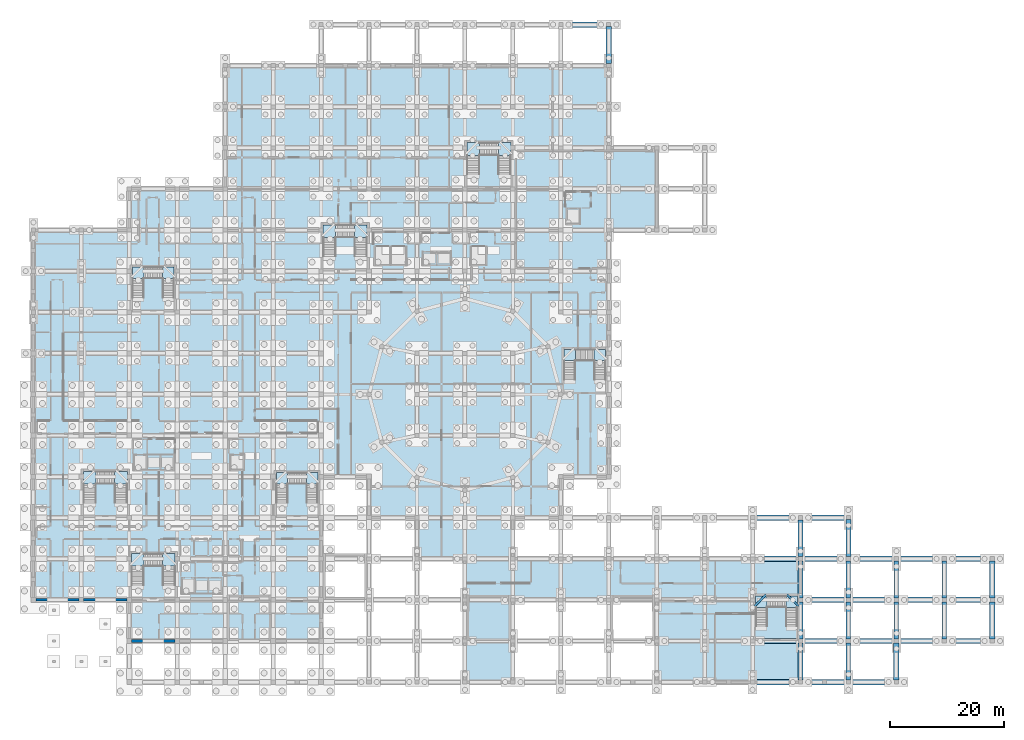
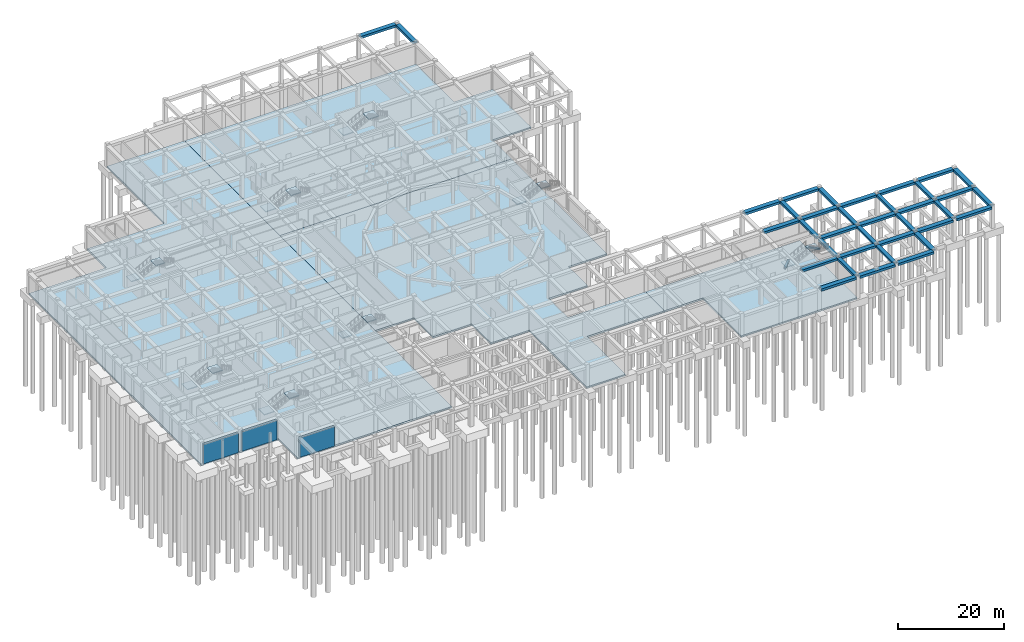
# One storey, part 14 of 32: 38 beams, 20 slabs, 3 walls, 8 elements without a shape of their own.
"""IFC4 building model written with IfcOpenShell, lengths in metres."""

from ifc_helpers import new_model, si_unit, derived_unit, direction, frame, frame_2d, origin, origin_2d, place, context, subcontext, project, spatial, polyline, rectangle, outline, extrude, material, layer, layer_set, material_profile, profile_set, type_object, element, aggregate, save


model = new_model("IFC4")

# Units and contexts
model_context = context("Model", 3, precision=1e-05, world=origin(), true_north=direction((0.0, 1.0)))
body_context = subcontext(model_context, "Body", "Model", "MODEL_VIEW")
ifc_project = project(units=[si_unit("LENGTHUNIT", "METRE"), si_unit("AREAUNIT", "SQUARE_METRE"), si_unit("VOLUMEUNIT", "CUBIC_METRE"), si_unit("PLANEANGLEUNIT", "RADIAN"), si_unit("MASSUNIT", "GRAM", prefix="KILO"), derived_unit("THERMALTRANSMITTANCEUNIT", [(si_unit("POWERUNIT", "WATT"), 1), (si_unit("LENGTHUNIT", "METRE"), -2), (si_unit("THERMODYNAMICTEMPERATUREUNIT", "KELVIN"), -1)])], contexts=[model_context])

# Site, building, storey
site_placement = place(None, origin())
site = spatial("IfcSite", under=ifc_project, at=site_placement, CompositionType="ELEMENT")
building_placement = place(site_placement, origin())
building = spatial("IfcBuilding", under=site, at=building_placement, Name="Veybourne Emporium", CompositionType="ELEMENT")
storey_placement = place(building_placement, frame((0.0, 0.0, -5.39990234375)))
storey = spatial("IfcBuildingStorey", under=building, at=storey_placement, Name="B1", CompositionType="ELEMENT", Elevation=-5.39990234375)

# Beams
ifc_material_1 = material(Name="Concrete C32/40", Category="concrete")
ifc_material_profile_1 = material_profile(ifc_material_1, rectangle(XDim=0.35009765625, YDim=0.35009765625, at=origin_2d()), Name="RC 350x350")
ifc_profile_set_1 = profile_set([ifc_material_profile_1], Name="Concrete C32/40")
beam_type_1 = type_object("IfcBeamType", Name="LandingBeam_LB-01", PredefinedType="BEAM", material=ifc_profile_set_1)
for number, where, z_axis, x_axis, name in (
    (1, (126.35009765625, 13.320068359375, 1.4248046875), (0.707106781187, 0.707106781187, 0.0), (-0.707106781187, 0.707106781187, 0.0), "B1 ST-06 landing 1 support beam"),
    (2, (132.070068359375, 15.300048828125, 3.224853515625), (0.707106781187, -0.707106781187, 0.0), (0.707106781187, 0.707106781187, 0.0), "B1 ST-06 landing 2 support beam"),
):
    element("IfcBeam", number, at=place(storey_placement, frame(where, z_axis=z_axis, x_axis=x_axis)), inside=storey, type_object=beam_type_1, Name=name, PredefinedType="BEAM", context=body_context, shape_type="SweptSolid", body=[
        extrude(rectangle(XDim=0.35009765625, YDim=0.35009765625, at=origin_2d()), origin(), (0.0, 0.0, 1.0), 2.800048828125),
    ])
ifc_material_profile_2 = material_profile(ifc_material_1, rectangle(XDim=0.949951171875, YDim=0.5, at=origin_2d()), Name="RC 950x500")
ifc_profile_set_2 = profile_set([ifc_material_profile_2], Name="Concrete C32/40")
beam_type_2 = type_object("IfcBeamType", Name="RCBeam_BB-01", PredefinedType="BEAM", material=ifc_profile_set_2)
for number, where, z_axis, x_axis, name in (
    (3, (126.39990234375, 7.199951171875, 4.7998046875), (1.0, 0.0, 0.0), (0.0, 1.0, 0.0), "B1 X-grid beam BB-01 (15,1)"),
    (4, (126.39990234375, 21.60009765625, 4.7998046875), (1.0, 0.0, 0.0), (0.0, 1.0, 0.0), "B1 X-grid beam BB-01 (15,3)"),
):
    element("IfcBeam", number, at=place(storey_placement, frame(where, z_axis=z_axis, x_axis=x_axis)), inside=storey, type_object=beam_type_2, Name=name, PredefinedType="BEAM", context=body_context, shape_type="SweptSolid", body=[
        extrude(rectangle(XDim=0.949951171875, YDim=0.5, at=origin_2d()), origin(), (0.0, 0.0, 1.0), 7.625),
    ])
beam_1_placement = place(storey_placement, frame((134.77490234375, 7.199951171875, 4.7998046875), z_axis=(1.0, 0.0, 0.0), x_axis=(0.0, 1.0, 0.0)))
element("IfcBeam", 5, at=beam_1_placement, inside=storey, type_object=beam_type_2, Name="B1 X-grid beam BB-01 (16,1)", PredefinedType="BEAM", context=body_context, shape_type="SweptSolid", body=[
    extrude(rectangle(XDim=0.949951171875, YDim=0.5, at=origin_2d()), origin(), (0.0, 0.0, 1.0), 7.635009765625),
])
beam_2_placement = place(storey_placement, frame((134.77490234375, 14.39990234375, 4.7998046875), z_axis=(1.0, 0.0, 0.0), x_axis=(0.0, 1.0, 0.0)))
element("IfcBeam", 6, at=beam_2_placement, inside=storey, type_object=beam_type_2, Name="B1 X-grid beam BB-01 (16,2)", PredefinedType="BEAM", context=body_context, shape_type="SweptSolid", body=[
    extrude(rectangle(XDim=0.949951171875, YDim=0.5, at=origin_2d()), origin(), (0.0, 0.0, 1.0), 7.675048828125),
])
beam_3_placement = place(storey_placement, frame((134.77490234375, 21.60009765625, 4.7998046875), z_axis=(1.0, 0.0, 0.0), x_axis=(0.0, 1.0, 0.0)))
element("IfcBeam", 7, at=beam_3_placement, inside=storey, type_object=beam_type_2, Name="B1 X-grid beam BB-01 (16,3)", PredefinedType="BEAM", context=body_context, shape_type="SweptSolid", body=[
    extrude(rectangle(XDim=0.949951171875, YDim=0.5, at=origin_2d()), origin(), (0.0, 0.0, 1.0), 7.635009765625),
])
beam_4_placement = place(storey_placement, frame((143.18994140625, 7.199951171875, 4.7998046875), z_axis=(1.0, 0.0, 0.0), x_axis=(0.0, 1.0, 0.0)))
element("IfcBeam", 8, at=beam_4_placement, inside=storey, type_object=beam_type_2, Name="B1 X-grid beam BB-01 (17,1)", PredefinedType="BEAM", context=body_context, shape_type="SweptSolid", body=[
    extrude(rectangle(XDim=0.949951171875, YDim=0.5, at=origin_2d()), origin(), (0.0, 0.0, 1.0), 7.6201171875),
])
beam_5_placement = place(storey_placement, frame((143.14990234375, 14.39990234375, 4.7998046875), z_axis=(1.0, 0.0, 0.0), x_axis=(0.0, 1.0, 0.0)))
element("IfcBeam", 9, at=beam_5_placement, inside=storey, type_object=beam_type_2, Name="B1 X-grid beam BB-01 (17,2)", PredefinedType="BEAM", context=body_context, shape_type="SweptSolid", body=[
    extrude(rectangle(XDim=0.949951171875, YDim=0.5, at=origin_2d()), origin(), (0.0, 0.0, 1.0), 7.7001953125),
])
for number, where, z_axis, x_axis, name in (
    (10, (151.550048828125, 14.39990234375, 4.7998046875), (1.0, 0.0, 0.0), (0.0, 1.0, 0.0), "B1 X-grid beam BB-01 (18,2)"),
    (11, (159.949951171875, 14.39990234375, 4.7998046875), (1.0, 0.0, 0.0), (0.0, 1.0, 0.0), "B1 X-grid beam BB-01 (19,2)"),
):
    element("IfcBeam", number, at=place(storey_placement, frame(where, z_axis=z_axis, x_axis=x_axis)), inside=storey, type_object=beam_type_2, Name=name, PredefinedType="BEAM", context=body_context, shape_type="SweptSolid", body=[
        extrude(rectangle(XDim=0.949951171875, YDim=0.5, at=origin_2d()), origin(), (0.0, 0.0, 1.0), 7.699951171875),
    ])
ifc_material_profile_3 = material_profile(ifc_material_1, rectangle(XDim=0.800048828125, YDim=0.5, at=origin_2d()), Name="RC 800x500")
ifc_profile_set_3 = profile_set([ifc_material_profile_3], Name="Concrete C32/40")
beam_type_3 = type_object("IfcBeamType", Name="RCBeam_BB-02", PredefinedType="BEAM", material=ifc_profile_set_3)
for number, where, z_axis, x_axis, name in (
    (12, (134.39990234375, 0.375, 4.7998046875), (0.0, 1.0, 0.0), (-1.0, 0.0, 0.0), "B1 Y-grid beam BB-02 (16,0)"),
    (13, (134.39990234375, 7.574951171875, 4.7998046875), (0.0, 1.0, 0.0), (-1.0, 0.0, 0.0), "B1 Y-grid beam BB-02 (16,1)"),
):
    element("IfcBeam", number, at=place(storey_placement, frame(where, z_axis=z_axis, x_axis=x_axis)), inside=storey, type_object=beam_type_3, Name=name, PredefinedType="BEAM", context=body_context, shape_type="SweptSolid", body=[
        extrude(rectangle(XDim=0.800048828125, YDim=0.5, at=origin_2d()), origin(), (0.0, 0.0, 1.0), 6.449951171875),
    ])
beam_6_placement = place(storey_placement, frame((134.39990234375, 14.77490234375, 4.7998046875), z_axis=(0.0, 1.0, 0.0), x_axis=(-1.0, 0.0, 0.0)))
element("IfcBeam", 14, at=beam_6_placement, inside=storey, type_object=beam_type_3, Name="B1 Y-grid beam BB-02 (16,2)", PredefinedType="BEAM", context=body_context, shape_type="SweptSolid", body=[
    extrude(rectangle(XDim=0.800048828125, YDim=0.5, at=origin_2d()), origin(), (0.0, 0.0, 1.0), 6.4501953125),
])
beam_7_placement = place(storey_placement, frame((134.39990234375, 21.97509765625, 4.7998046875), z_axis=(0.0, 1.0, 0.0), x_axis=(-1.0, 0.0, 0.0)))
element("IfcBeam", 15, at=beam_7_placement, inside=storey, type_object=beam_type_3, Name="B1 Y-grid beam BB-02 (16,3)", PredefinedType="BEAM", context=body_context, shape_type="SweptSolid", body=[
    extrude(rectangle(XDim=0.800048828125, YDim=0.5, at=origin_2d()), origin(), (0.0, 0.0, 1.0), 6.449951171875),
])
for number, where, z_axis, x_axis, name in (
    (16, (142.800048828125, 0.35009765625, 4.7998046875), (0.0, 1.0, 0.0), (-1.0, 0.0, 0.0), "B1 Y-grid beam BB-02 (17,0)"),
    (17, (142.800048828125, 7.56005859375, 4.7998046875), (0.0, 1.0, 0.0), (-1.0, 0.0, 0.0), "B1 Y-grid beam BB-02 (17,1)"),
    (18, (142.800048828125, 14.75, 4.7998046875), (0.0, 1.0, 0.0), (-1.0, 0.0, 0.0), "B1 Y-grid beam BB-02 (17,2)"),
    (19, (151.199951171875, 7.56005859375, 4.7998046875), (0.0, 1.0, 0.0), (-1.0, 0.0, 0.0), "B1 Y-grid beam BB-02 (18,1)"),
    (20, (151.199951171875, 14.75, 4.7998046875), (0.0, 1.0, 0.0), (-1.0, 0.0, 0.0), "B1 Y-grid beam BB-02 (18,2)"),
    (21, (159.60009765625, 7.56005859375, 4.7998046875), (0.0, 1.0, 0.0), (-1.0, 0.0, 0.0), "B1 Y-grid beam BB-02 (19,1)"),
    (22, (159.60009765625, 14.75, 4.7998046875), (0.0, 1.0, 0.0), (-1.0, 0.0, 0.0), "B1 Y-grid beam BB-02 (19,2)"),
):
    element("IfcBeam", number, at=place(storey_placement, frame(where, z_axis=z_axis, x_axis=x_axis)), inside=storey, type_object=beam_type_3, Name=name, PredefinedType="BEAM", context=body_context, shape_type="SweptSolid", body=[
        extrude(rectangle(XDim=0.800048828125, YDim=0.5, at=origin_2d()), origin(), (0.0, 0.0, 1.0), 6.489990234375),
    ])
ifc_material_profile_4 = material_profile(ifc_material_1, rectangle(XDim=0.949951171875, YDim=0.550048828125, at=origin_2d()), Name="RC 950x550")
ifc_profile_set_4 = profile_set([ifc_material_profile_4], Name="Concrete C32/40")
beam_type_4 = type_object("IfcBeamType", Name="RCBeam_EB-01", PredefinedType="SPANDREL", material=ifc_profile_set_4)
beam_8_placement = place(storey_placement, frame((92.75, 115.199951171875, 4.77490234375), z_axis=(1.0, 0.0, 0.0), x_axis=(0.0, 1.0, 0.0)))
element("IfcBeam", 23, at=beam_8_placement, inside=storey, type_object=beam_type_4, Name="B1 X-grid beam EB-01 (11,16)", PredefinedType="SPANDREL", context=body_context, shape_type="SweptSolid", body=[
    extrude(rectangle(XDim=0.949951171875, YDim=0.550048828125, at=origin_2d()), origin(), (0.0, 0.0, 1.0), 7.699951171875),
])
for number, where, z_axis, x_axis, name in (
    (24, (126.39990234375, 0.0, 4.77490234375), (1.0, 0.0, 0.0), (0.0, 1.0, 0.0), "B1 X-grid beam EB-01 (15,0)"),
    (25, (126.39990234375, 28.800048828125, 4.77490234375), (1.0, 0.0, 0.0), (0.0, 1.0, 0.0), "B1 X-grid beam EB-01 (15,4)"),
):
    element("IfcBeam", number, at=place(storey_placement, frame(where, z_axis=z_axis, x_axis=x_axis)), inside=storey, type_object=beam_type_4, Name=name, PredefinedType="SPANDREL", context=body_context, shape_type="SweptSolid", body=[
        extrude(rectangle(XDim=0.949951171875, YDim=0.550048828125, at=origin_2d()), origin(), (0.0, 0.0, 1.0), 7.625),
    ])
for number, where, z_axis, x_axis, name in (
    (26, (134.77490234375, 0.0, 4.77490234375), (1.0, 0.0, 0.0), (0.0, 1.0, 0.0), "B1 X-grid beam EB-01 (16,0)"),
    (27, (134.77490234375, 28.800048828125, 4.77490234375), (1.0, 0.0, 0.0), (0.0, 1.0, 0.0), "B1 X-grid beam EB-01 (16,4)"),
):
    element("IfcBeam", number, at=place(storey_placement, frame(where, z_axis=z_axis, x_axis=x_axis)), inside=storey, type_object=beam_type_4, Name=name, PredefinedType="SPANDREL", context=body_context, shape_type="SweptSolid", body=[
        extrude(rectangle(XDim=0.949951171875, YDim=0.550048828125, at=origin_2d()), origin(), (0.0, 0.0, 1.0), 7.675048828125),
    ])
beam_9_placement = place(storey_placement, frame((143.14990234375, 0.0, 4.77490234375), z_axis=(1.0, 0.0, 0.0), x_axis=(0.0, 1.0, 0.0)))
element("IfcBeam", 28, at=beam_9_placement, inside=storey, type_object=beam_type_4, Name="B1 X-grid beam EB-01 (17,0)", PredefinedType="SPANDREL", context=body_context, shape_type="SweptSolid", body=[
    extrude(rectangle(XDim=0.949951171875, YDim=0.550048828125, at=origin_2d()), origin(), (0.0, 0.0, 1.0), 7.7001953125),
])
beam_10_placement = place(storey_placement, frame((143.18994140625, 21.60009765625, 4.77490234375), z_axis=(1.0, 0.0, 0.0), x_axis=(0.0, 1.0, 0.0)))
element("IfcBeam", 29, at=beam_10_placement, inside=storey, type_object=beam_type_4, Name="B1 X-grid beam EB-01 (17,3)", PredefinedType="SPANDREL", context=body_context, shape_type="SweptSolid", body=[
    extrude(rectangle(XDim=0.949951171875, YDim=0.550048828125, at=origin_2d()), origin(), (0.0, 0.0, 1.0), 7.6201171875),
])
for number, where, z_axis, x_axis, name in (
    (30, (151.590087890625, 7.199951171875, 4.77490234375), (1.0, 0.0, 0.0), (0.0, 1.0, 0.0), "B1 X-grid beam EB-01 (18,1)"),
    (31, (151.590087890625, 21.60009765625, 4.77490234375), (1.0, 0.0, 0.0), (0.0, 1.0, 0.0), "B1 X-grid beam EB-01 (18,3)"),
):
    element("IfcBeam", number, at=place(storey_placement, frame(where, z_axis=z_axis, x_axis=x_axis)), inside=storey, type_object=beam_type_4, Name=name, PredefinedType="SPANDREL", context=body_context, shape_type="SweptSolid", body=[
        extrude(rectangle(XDim=0.949951171875, YDim=0.550048828125, at=origin_2d()), origin(), (0.0, 0.0, 1.0), 7.619873046875),
    ])
for number, where, z_axis, x_axis, name in (
    (32, (159.989990234375, 7.199951171875, 4.77490234375), (1.0, 0.0, 0.0), (0.0, 1.0, 0.0), "B1 X-grid beam EB-01 (19,1)"),
    (33, (159.989990234375, 21.60009765625, 4.77490234375), (1.0, 0.0, 0.0), (0.0, 1.0, 0.0), "B1 X-grid beam EB-01 (19,3)"),
):
    element("IfcBeam", number, at=place(storey_placement, frame(where, z_axis=z_axis, x_axis=x_axis)), inside=storey, type_object=beam_type_4, Name=name, PredefinedType="SPANDREL", context=body_context, shape_type="SweptSolid", body=[
        extrude(rectangle(XDim=0.949951171875, YDim=0.550048828125, at=origin_2d()), origin(), (0.0, 0.0, 1.0), 7.6201171875),
    ])
for number, where, z_axis, x_axis, name in (
    (34, (100.800048828125, 108.360107421875, 4.77490234375), (0.0, 1.0, 0.0), (-1.0, 0.0, 0.0), "B1 Y-grid beam EB-01 (12,15)"),
    (35, (142.800048828125, 21.9599609375, 4.77490234375), (0.0, 1.0, 0.0), (-1.0, 0.0, 0.0), "B1 Y-grid beam EB-01 (17,3)"),
    (36, (151.199951171875, 0.35009765625, 4.77490234375), (0.0, 1.0, 0.0), (-1.0, 0.0, 0.0), "B1 Y-grid beam EB-01 (18,0)"),
    (37, (168.0, 7.56005859375, 4.77490234375), (0.0, 1.0, 0.0), (-1.0, 0.0, 0.0), "B1 Y-grid beam EB-01 (20,1)"),
    (38, (168.0, 14.75, 4.77490234375), (0.0, 1.0, 0.0), (-1.0, 0.0, 0.0), "B1 Y-grid beam EB-01 (20,2)"),
):
    element("IfcBeam", number, at=place(storey_placement, frame(where, z_axis=z_axis, x_axis=x_axis)), inside=storey, type_object=beam_type_4, Name=name, PredefinedType="SPANDREL", context=body_context, shape_type="SweptSolid", body=[
        extrude(rectangle(XDim=0.949951171875, YDim=0.550048828125, at=origin_2d()), origin(), (0.0, 0.0, 1.0), 6.489990234375),
    ])

# Stair, slabs
stair_type_1 = type_object("IfcStairType", Name="Stair_ST-01-R36", PredefinedType="TWO_QUARTER_TURN_STAIR", material=ifc_material_1)
stair_1_placement = place(storey_placement, origin())
stair_1 = element("IfcStair", 39, at=stair_1_placement, inside=storey, type_object=stair_type_1, Name="B1 stair ST-01", PredefinedType="TWO_QUARTER_TURN_STAIR")
ifc_layer_1 = layer(ifc_material_1, 0.199951171875)
ifc_layer_set_1 = layer_set([ifc_layer_1], Name="Concrete C32/40")
slab_type_1 = type_object("IfcSlabType", Name="Landing_LDG-01", PredefinedType="LANDING", material=ifc_layer_set_1)
slab_1_placement = place(storey_placement, frame((0.0, 0.0, 1.599853515625)))
slab_1 = element("IfcSlab", 40, at=slab_1_placement, type_object=slab_type_1, Name="ST-01-R36 landing 1", PredefinedType="LANDING", context=body_context, shape_type="SweptSolid", body=[
    extrude(outline(polyline([(17.14990234375, 20.300048828125), (19.35009765625, 20.300048828125), (19.35009765625, 22.5), (17.14990234375, 22.5), (17.14990234375, 20.300048828125)])), origin(), (0.0, 0.0, 1.0), 0.199951171875),
])
slab_2_placement = place(storey_placement, frame((0.0, 0.0, 3.39990234375)))
slab_2 = element("IfcSlab", 41, at=slab_2_placement, type_object=slab_type_1, Name="ST-01-R36 landing 2", PredefinedType="LANDING", context=body_context, shape_type="SweptSolid", body=[
    extrude(outline(polyline([(22.64990234375, 20.300048828125), (24.85009765625, 20.300048828125), (24.85009765625, 22.5), (22.64990234375, 22.5), (22.64990234375, 20.300048828125)])), origin(), (0.0, 0.0, 1.0), 0.199951171875),
])
aggregate(stair_1, [slab_1, slab_2])

stair_type_2 = type_object("IfcStairType", Name="Stair_ST-02-R36", PredefinedType="TWO_QUARTER_TURN_STAIR", material=ifc_material_1)
stair_2_placement = place(storey_placement, origin())
stair_2 = element("IfcStair", 42, at=stair_2_placement, inside=storey, type_object=stair_type_2, Name="B1 stair ST-02", PredefinedType="TWO_QUARTER_TURN_STAIR")
slab_3_placement = place(storey_placement, frame((0.0, 0.0, 1.599853515625)))
slab_3 = element("IfcSlab", 43, at=slab_3_placement, type_object=slab_type_1, Name="ST-02-R36 landing 1", PredefinedType="LANDING", context=body_context, shape_type="SweptSolid", body=[
    extrude(outline(polyline([(8.75, 34.699951171875), (10.949951171875, 34.699951171875), (10.949951171875, 36.89990234375), (8.75, 36.89990234375), (8.75, 34.699951171875)])), origin(), (0.0, 0.0, 1.0), 0.199951171875),
])
slab_4_placement = place(storey_placement, frame((0.0, 0.0, 3.39990234375)))
slab_4 = element("IfcSlab", 44, at=slab_4_placement, type_object=slab_type_1, Name="ST-02-R36 landing 2", PredefinedType="LANDING", context=body_context, shape_type="SweptSolid", body=[
    extrude(outline(polyline([(14.25, 34.699951171875), (16.449951171875, 34.699951171875), (16.449951171875, 36.89990234375), (14.25, 36.89990234375), (14.25, 34.699951171875)])), origin(), (0.0, 0.0, 1.0), 0.199951171875),
])
aggregate(stair_2, [slab_3, slab_4])

stair_type_3 = type_object("IfcStairType", Name="Stair_ST-03-R36", PredefinedType="TWO_QUARTER_TURN_STAIR", material=ifc_material_1)
stair_3_placement = place(storey_placement, origin())
stair_3 = element("IfcStair", 45, at=stair_3_placement, inside=storey, type_object=stair_type_3, Name="B1 stair ST-03", PredefinedType="TWO_QUARTER_TURN_STAIR")
slab_5_placement = place(storey_placement, frame((0.0, 0.0, 1.599853515625)))
slab_5 = element("IfcSlab", 46, at=slab_5_placement, type_object=slab_type_1, Name="ST-03-R36 landing 1", PredefinedType="LANDING", context=body_context, shape_type="SweptSolid", body=[
    extrude(outline(polyline([(50.75, 77.89990234375), (52.949951171875, 77.89990234375), (52.949951171875, 80.10009765625), (50.75, 80.10009765625), (50.75, 77.89990234375)])), origin(), (0.0, 0.0, 1.0), 0.199951171875),
])
slab_6_placement = place(storey_placement, frame((0.0, 0.0, 3.39990234375)))
slab_6 = element("IfcSlab", 47, at=slab_6_placement, type_object=slab_type_1, Name="ST-03-R36 landing 2", PredefinedType="LANDING", context=body_context, shape_type="SweptSolid", body=[
    extrude(outline(polyline([(56.25, 77.89990234375), (58.449951171875, 77.89990234375), (58.449951171875, 80.10009765625), (56.25, 80.10009765625), (56.25, 77.89990234375)])), origin(), (0.0, 0.0, 1.0), 0.199951171875),
])
aggregate(stair_3, [slab_5, slab_6])

stair_type_4 = type_object("IfcStairType", Name="Stair_ST-04-R36", PredefinedType="TWO_QUARTER_TURN_STAIR", material=ifc_material_1)
stair_4_placement = place(storey_placement, origin())
stair_4 = element("IfcStair", 48, at=stair_4_placement, inside=storey, type_object=stair_type_4, Name="B1 stair ST-04", PredefinedType="TWO_QUARTER_TURN_STAIR")
slab_7_placement = place(storey_placement, frame((0.0, 0.0, 1.599853515625)))
slab_7 = element("IfcSlab", 49, at=slab_7_placement, type_object=slab_type_1, Name="ST-04-R36 landing 1", PredefinedType="LANDING", context=body_context, shape_type="SweptSolid", body=[
    extrude(outline(polyline([(75.949951171875, 92.300048828125), (78.14990234375, 92.300048828125), (78.14990234375, 94.5), (75.949951171875, 94.5), (75.949951171875, 92.300048828125)])), origin(), (0.0, 0.0, 1.0), 0.199951171875),
])
slab_8_placement = place(storey_placement, frame((0.0, 0.0, 3.39990234375)))
slab_8 = element("IfcSlab", 50, at=slab_8_placement, type_object=slab_type_1, Name="ST-04-R36 landing 2", PredefinedType="LANDING", context=body_context, shape_type="SweptSolid", body=[
    extrude(outline(polyline([(81.449951171875, 92.300048828125), (83.64990234375, 92.300048828125), (83.64990234375, 94.5), (81.449951171875, 94.5), (81.449951171875, 92.300048828125)])), origin(), (0.0, 0.0, 1.0), 0.199951171875),
])
aggregate(stair_4, [slab_7, slab_8])

stair_type_5 = type_object("IfcStairType", Name="Stair_ST-05-R36", PredefinedType="TWO_QUARTER_TURN_STAIR", material=ifc_material_1)
stair_5_placement = place(storey_placement, origin())
stair_5 = element("IfcStair", 51, at=stair_5_placement, inside=storey, type_object=stair_type_5, Name="B1 stair ST-05", PredefinedType="TWO_QUARTER_TURN_STAIR")
slab_9_placement = place(storey_placement, frame((0.0, 0.0, 1.599853515625)))
slab_9 = element("IfcSlab", 52, at=slab_9_placement, type_object=slab_type_1, Name="ST-05-R36 landing 1", PredefinedType="LANDING", context=body_context, shape_type="SweptSolid", body=[
    extrude(outline(polyline([(42.550048828125, 34.699951171875), (44.550048828125, 34.699951171875), (44.550048828125, 36.699951171875), (42.550048828125, 36.699951171875), (42.550048828125, 34.699951171875)])), origin(), (0.0, 0.0, 1.0), 0.199951171875),
])
slab_10_placement = place(storey_placement, frame((0.0, 0.0, 3.39990234375)))
slab_10 = element("IfcSlab", 53, at=slab_10_placement, type_object=slab_type_1, Name="ST-05-R36 landing 2", PredefinedType="LANDING", context=body_context, shape_type="SweptSolid", body=[
    extrude(outline(polyline([(47.85009765625, 34.699951171875), (49.85009765625, 34.699951171875), (49.85009765625, 36.699951171875), (47.85009765625, 36.699951171875), (47.85009765625, 34.699951171875)])), origin(), (0.0, 0.0, 1.0), 0.199951171875),
])
aggregate(stair_5, [slab_9, slab_10])

stair_type_6 = type_object("IfcStairType", Name="Stair_ST-06-R36", PredefinedType="TWO_QUARTER_TURN_STAIR", material=ifc_material_1)
stair_6_placement = place(storey_placement, origin())
stair_6 = element("IfcStair", 54, at=stair_6_placement, inside=storey, type_object=stair_type_6, Name="B1 stair ST-06", PredefinedType="TWO_QUARTER_TURN_STAIR")
slab_11_placement = place(storey_placement, frame((0.0, 0.0, 1.599853515625)))
slab_11 = element("IfcSlab", 55, at=slab_11_placement, type_object=slab_type_1, Name="ST-06-R36 landing 1", PredefinedType="LANDING", context=body_context, shape_type="SweptSolid", body=[
    extrude(outline(polyline([(126.550048828125, 13.10009765625), (128.550048828125, 13.10009765625), (128.550048828125, 15.10009765625), (126.550048828125, 15.10009765625), (126.550048828125, 13.10009765625)])), origin(), (0.0, 0.0, 1.0), 0.199951171875),
])
slab_12_placement = place(storey_placement, frame((0.0, 0.0, 3.39990234375)))
slab_12 = element("IfcSlab", 56, at=slab_12_placement, type_object=slab_type_1, Name="ST-06-R36 landing 2", PredefinedType="LANDING", context=body_context, shape_type="SweptSolid", body=[
    extrude(outline(polyline([(131.85009765625, 13.10009765625), (133.85009765625, 13.10009765625), (133.85009765625, 15.10009765625), (131.85009765625, 15.10009765625), (131.85009765625, 13.10009765625)])), origin(), (0.0, 0.0, 1.0), 0.199951171875),
])
aggregate(stair_6, [slab_11, slab_12])

stair_type_7 = type_object("IfcStairType", Name="Stair_ST-07-R36", PredefinedType="TWO_QUARTER_TURN_STAIR", material=ifc_material_1)
stair_7_placement = place(storey_placement, origin())
stair_7 = element("IfcStair", 57, at=stair_7_placement, inside=storey, type_object=stair_type_7, Name="B1 stair ST-07", PredefinedType="TWO_QUARTER_TURN_STAIR")
slab_13_placement = place(storey_placement, frame((0.0, 0.0, 1.599853515625)))
slab_13 = element("IfcSlab", 58, at=slab_13_placement, type_object=slab_type_1, Name="ST-07-R36 landing 1", PredefinedType="LANDING", context=body_context, shape_type="SweptSolid", body=[
    extrude(outline(polyline([(92.949951171875, 56.300048828125), (94.949951171875, 56.300048828125), (94.949951171875, 58.300048828125), (92.949951171875, 58.300048828125), (92.949951171875, 56.300048828125)])), origin(), (0.0, 0.0, 1.0), 0.199951171875),
])
slab_14_placement = place(storey_placement, frame((0.0, 0.0, 3.39990234375)))
slab_14 = element("IfcSlab", 59, at=slab_14_placement, type_object=slab_type_1, Name="ST-07-R36 landing 2", PredefinedType="LANDING", context=body_context, shape_type="SweptSolid", body=[
    extrude(outline(polyline([(98.25, 56.300048828125), (100.25, 56.300048828125), (100.25, 58.300048828125), (98.25, 58.300048828125), (98.25, 56.300048828125)])), origin(), (0.0, 0.0, 1.0), 0.199951171875),
])
aggregate(stair_7, [slab_13, slab_14])

stair_type_8 = type_object("IfcStairType", Name="Stair_ST-08-R36", PredefinedType="TWO_QUARTER_TURN_STAIR", material=ifc_material_1)
stair_8_placement = place(storey_placement, origin())
stair_8 = element("IfcStair", 60, at=stair_8_placement, inside=storey, type_object=stair_type_8, Name="B1 stair ST-08", PredefinedType="TWO_QUARTER_TURN_STAIR")
slab_15_placement = place(storey_placement, frame((0.0, 0.0, 1.599853515625)))
slab_15 = element("IfcSlab", 61, at=slab_15_placement, type_object=slab_type_1, Name="ST-08-R36 landing 1", PredefinedType="LANDING", context=body_context, shape_type="SweptSolid", body=[
    extrude(outline(polyline([(17.35009765625, 70.699951171875), (19.35009765625, 70.699951171875), (19.35009765625, 72.699951171875), (17.35009765625, 72.699951171875), (17.35009765625, 70.699951171875)])), origin(), (0.0, 0.0, 1.0), 0.199951171875),
])
slab_16_placement = place(storey_placement, frame((0.0, 0.0, 3.39990234375)))
slab_16 = element("IfcSlab", 62, at=slab_16_placement, type_object=slab_type_1, Name="ST-08-R36 landing 2", PredefinedType="LANDING", context=body_context, shape_type="SweptSolid", body=[
    extrude(outline(polyline([(22.64990234375, 70.699951171875), (24.64990234375, 70.699951171875), (24.64990234375, 72.699951171875), (22.64990234375, 72.699951171875), (22.64990234375, 70.699951171875)])), origin(), (0.0, 0.0, 1.0), 0.199951171875),
])
aggregate(stair_8, [slab_15, slab_16])

# Slabs
ifc_material_2 = material(Name="Concrete C35/45", Category="concrete")
ifc_layer_2 = layer(ifc_material_2, 0.39990234375)
ifc_layer_set_2 = layer_set([ifc_layer_2], Name="Concrete C35/45")
slab_type_2 = type_object("IfcSlabType", Name="Slab_BS-01", PredefinedType="BASESLAB", material=ifc_layer_set_2)
slab_17_placement = place(storey_placement, frame((0.0, 0.0, -0.400146484375)))
element("IfcSlab", 63, at=slab_17_placement, inside=storey, type_object=slab_type_2, Name="Basement base slab BS-01 SW", PredefinedType="BASESLAB", context=body_context, shape_type="SweptSolid", body=[
    extrude(outline(polyline([(0.0, 21.60009765625), (0.0, 28.800048828125), (0.0, 36.0), (0.0, 43.199951171875), (0.0, 50.39990234375), (0.0, 57.60009765625), (0.0, 64.800048828125), (0.0, 72.0), (0.0, 79.199951171875), (8.39990234375, 79.199951171875), (16.800048828125, 79.199951171875), (16.800048828125, 86.39990234375), (25.199951171875, 86.39990234375), (33.60009765625, 86.39990234375), (33.60009765625, 93.60009765625), (33.60009765625, 100.800048828125), (33.60009765625, 108.0), (42.0, 108.0), (50.39990234375, 108.0), (50.39990234375, 100.800048828125), (50.39990234375, 93.60009765625), (50.39990234375, 86.39990234375), (50.39990234375, 79.199951171875), (50.39990234375, 72.0), (50.39990234375, 64.800048828125), (50.39990234375, 57.60009765625), (50.39990234375, 50.39990234375), (50.39990234375, 43.199951171875), (50.39990234375, 36.0), (50.39990234375, 28.800048828125), (50.39990234375, 21.60009765625), (50.39990234375, 14.39990234375), (50.39990234375, 7.199951171875), (42.0, 7.199951171875), (33.60009765625, 7.199951171875), (25.199951171875, 7.199951171875), (16.800048828125, 7.199951171875), (16.800048828125, 14.39990234375), (8.39990234375, 14.39990234375), (0.0, 14.39990234375), (0.0, 21.60009765625)])), origin(), (0.0, 0.0, 1.0), 0.400146484375),
])
slab_18_placement = place(storey_placement, frame((0.0, 0.0, -0.400146484375)))
element("IfcSlab", 64, at=slab_18_placement, inside=storey, type_object=slab_type_2, Name="Basement base slab BS-01 CTR", PredefinedType="BASESLAB", context=body_context, shape_type="SweptSolid", body=[
    extrude(outline(polyline([(58.800048828125, 28.800048828125), (58.800048828125, 36.0), (50.39990234375, 36.0), (50.39990234375, 43.199951171875), (50.39990234375, 50.39990234375), (50.39990234375, 57.60009765625), (50.39990234375, 64.800048828125), (50.39990234375, 72.0), (58.800048828125, 72.0), (67.199951171875, 72.0), (75.60009765625, 72.0), (84.0, 72.0), (92.39990234375, 72.0), (100.800048828125, 72.0), (100.800048828125, 64.800048828125), (100.800048828125, 57.60009765625), (100.800048828125, 50.39990234375), (100.800048828125, 43.199951171875), (100.800048828125, 36.0), (92.39990234375, 36.0), (92.39990234375, 28.800048828125), (84.0, 28.800048828125), (84.0, 21.60009765625), (92.39990234375, 21.60009765625), (100.800048828125, 21.60009765625), (100.800048828125, 14.39990234375), (92.39990234375, 14.39990234375), (84.0, 14.39990234375), (84.0, 7.199951171875), (84.0, 0.0), (75.60009765625, 0.0), (75.60009765625, 7.199951171875), (75.60009765625, 14.39990234375), (75.60009765625, 21.60009765625), (67.199951171875, 21.60009765625), (67.199951171875, 28.800048828125), (58.800048828125, 28.800048828125)])), origin(), (0.0, 0.0, 1.0), 0.400146484375),
])
slab_19_placement = place(storey_placement, frame((0.0, 0.0, -0.400146484375)))
element("IfcSlab", 65, at=slab_19_placement, inside=storey, type_object=slab_type_2, Name="Basement base slab BS-01 NTH", PredefinedType="BASESLAB", context=body_context, shape_type="SweptSolid", body=[
    extrude(outline(polyline([(50.39990234375, 100.800048828125), (50.39990234375, 108.0), (58.800048828125, 108.0), (67.199951171875, 108.0), (75.60009765625, 108.0), (84.0, 108.0), (92.39990234375, 108.0), (100.800048828125, 108.0), (100.800048828125, 100.800048828125), (100.800048828125, 93.60009765625), (109.199951171875, 93.60009765625), (109.199951171875, 86.39990234375), (109.199951171875, 79.199951171875), (100.800048828125, 79.199951171875), (100.800048828125, 72.0), (92.39990234375, 72.0), (84.0, 72.0), (75.60009765625, 72.0), (67.199951171875, 72.0), (58.800048828125, 72.0), (50.39990234375, 72.0), (50.39990234375, 79.199951171875), (50.39990234375, 86.39990234375), (50.39990234375, 93.60009765625), (50.39990234375, 100.800048828125)])), origin(), (0.0, 0.0, 1.0), 0.400146484375),
])
slab_20_placement = place(storey_placement, frame((0.0, 0.0, -0.400146484375)))
element("IfcSlab", 66, at=slab_20_placement, inside=storey, type_object=slab_type_2, Name="Basement base slab BS-01 NTH", PredefinedType="BASESLAB", context=body_context, shape_type="SweptSolid", body=[
    extrude(outline(polyline([(126.0, 0.0), (117.60009765625, 0.0), (109.199951171875, 0.0), (109.199951171875, 7.199951171875), (109.199951171875, 14.39990234375), (100.800048828125, 14.39990234375), (100.800048828125, 21.60009765625), (109.199951171875, 21.60009765625), (117.60009765625, 21.60009765625), (126.0, 21.60009765625), (134.39990234375, 21.60009765625), (134.39990234375, 14.39990234375), (134.39990234375, 7.199951171875), (134.39990234375, 0.0), (126.0, 0.0)])), origin(), (0.0, 0.0, 1.0), 0.400146484375),
])

# Walls
ifc_material_3 = material(Name="Concrete C40/50", Category="concrete")
ifc_layer_3 = layer(ifc_material_3, 0.449951171875)
ifc_layer_set_3 = layer_set([ifc_layer_3], Name="Concrete C40/50")
wall_type = type_object("IfcWallType", Name="ExtWall_RW-01", PredefinedType="USERDEFINED", material=ifc_layer_set_3)
for number, where, z_axis, x_axis, name in (
    (67, (8.0, 14.39990234375, 0.0), (0.0, 0.0, 1.0), (-1.0, 0.0, 0.0), "Basement perimeter retaining wall 001"),
    (68, (16.375, 14.39990234375, 0.0), (0.0, 0.0, 1.0), (-1.0, 0.0, 0.0), "Basement perimeter retaining wall 012"),
    (69, (24.77490234375, 7.199951171875, 0.0), (0.0, 0.0, 1.0), (-1.0, 0.0, 0.0), "Basement perimeter retaining wall 014"),
):
    element("IfcWall", number, at=place(storey_placement, frame(where, z_axis=z_axis, x_axis=x_axis)), inside=storey, type_object=wall_type, Name=name, ObjectType="RETAININGWALL", PredefinedType="USERDEFINED", context=body_context, shape_type="SweptSolid", body=[
        extrude(rectangle(XDim=7.574951171875, YDim=0.449951171875, at=frame_2d((3.78759765625, 0.0))), origin(), (0.0, 0.0, 1.0), 4.5),
    ])

save(model, "model.ifc")
